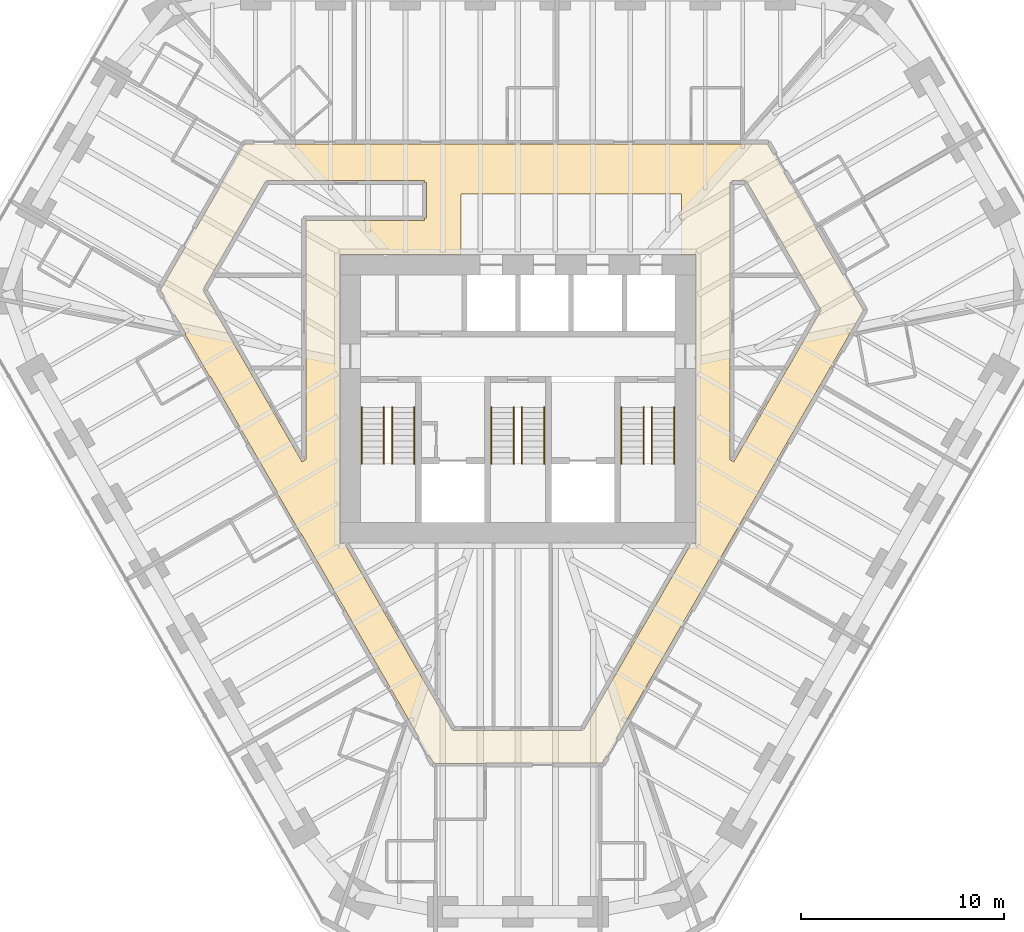
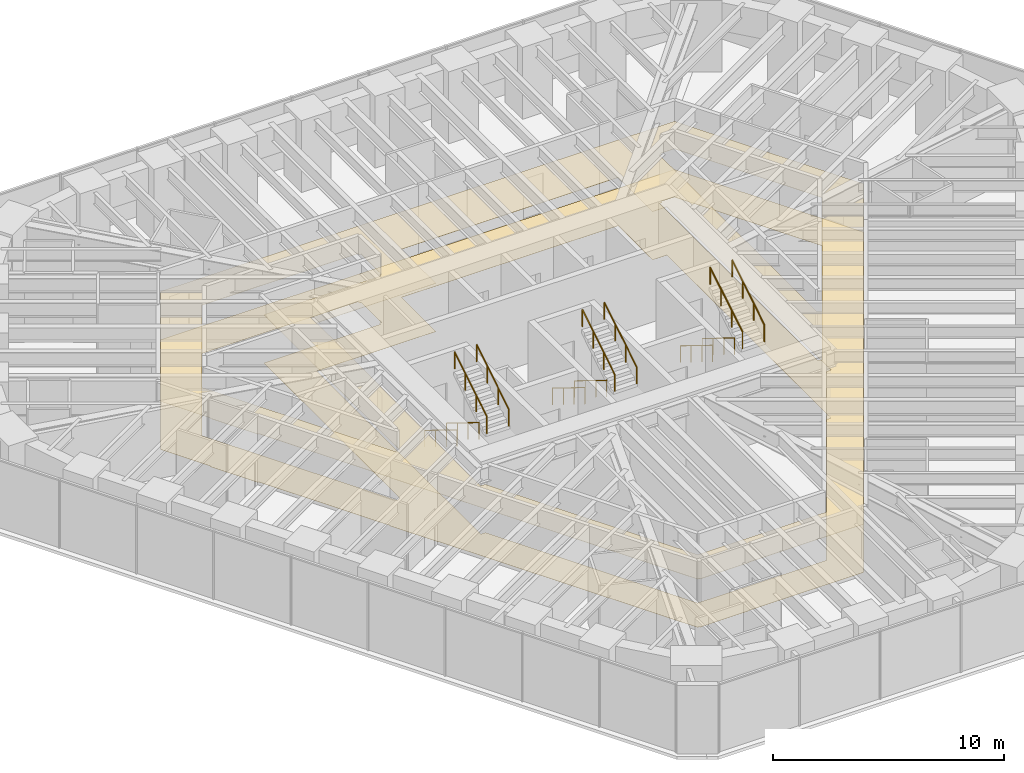
# One storey, part 16 of 16: 12 railings, 2 coverings.
"""IFC4 building model written with IfcOpenShell, lengths in metres."""

from ifc_helpers import new_model, si_unit, direction, frame, origin, origin_2d, place, context, subcontext, project, spatial, polyline, circle, outline, extrude, material, layer, layer_set, type_object, element, save


model = new_model("IFC4")

# Units and contexts
model_context = context("Model", 3, precision=1e-05, world=origin(), true_north=direction((0.0, 1.0)))
body_context = subcontext(model_context, "Body", "Model", "MODEL_VIEW")
ifc_project = project(units=[si_unit("LENGTHUNIT", "METRE"), si_unit("AREAUNIT", "SQUARE_METRE"), si_unit("VOLUMEUNIT", "CUBIC_METRE"), si_unit("PLANEANGLEUNIT", "RADIAN"), si_unit("MASSUNIT", "GRAM", prefix="KILO")], contexts=[model_context])

# Site, building, storey
site_placement = place(None, origin())
site = spatial("IfcSite", under=ifc_project, at=site_placement, CompositionType="ELEMENT")
building_placement = place(site_placement, origin())
building = spatial("IfcBuilding", under=site, at=building_placement, Name="Sandreach Pilgrim Tower", CompositionType="ELEMENT")
storey_placement = place(building_placement, frame((0.0, 0.0, 206.0)))
storey = spatial("IfcBuildingStorey", under=building, at=storey_placement, Name="L51", CompositionType="ELEMENT", Elevation=206.0)

# Coverings
ifc_material_1 = material(Name="Nylon carpet tile on the slab", Category="textile")
ifc_layer_1 = layer(ifc_material_1, 0.008056640625)
ifc_layer_set_1 = layer_set([ifc_layer_1], Name="Carpet tile")
covering_type_1 = type_object("IfcCoveringType", Name="Carpet tile", PredefinedType="FLOORING", material=ifc_layer_set_1)
covering_1_placement = place(storey_placement, origin())
element("IfcCovering", 1, at=covering_1_placement, inside=storey, type_object=covering_type_1, Name="Floor finish 51C Corridor 51", PredefinedType="FLOORING", context=body_context, shape_type="SweptSolid", body=[
    extrude(outline(polyline([(-13.445068359375, 12.56005859375), (12.292236328125, 12.56005859375), (17.0244140625, 4.369873046875), (4.15234375, -17.929931640625), (-1.60009765625, -17.929931640625), (-1.60009765625, -17.9580078125), (-4.050048828125, -17.969970703125), (-4.050048828125, -17.929931640625), (-4.15234375, -17.929931640625), (-10.643310546875, -6.68994140625), (-10.66357421875, -6.70166015625), (-11.8681640625, -4.624267578125), (-11.843505859375, -4.610107421875), (-15.143310546875, 1.10986328125), (-15.180908203125, 1.08837890625), (-16.387939453125, 3.169921875), (-16.353271484375, 3.189697265625), (-17.60302734375, 5.366943359375), (-13.445068359375, 12.56005859375)]), holes=[polyline([(10.449951171875, 10.659912109375), (10.449951171875, -2.9921875), (10.63671875, -3.10009765625), (14.945556640625, 4.370361328125), (11.247802734375, 10.760009765625), (10.56005859375, 10.760009765625), (10.56005859375, 10.66015625), (10.449951171875, 10.659912109375)]), polyline([(-3.227783203125, -16.330078125), (3.227783203125, -16.330078125), (8.542724609375, -7.1201171875), (8.77001953125, -7.1201171875), (8.77001953125, 7.1201171875), (8.050048828125, 7.1201171875), (8.050048828125, 10.10009765625), (-2.800048828125, 10.10009765625), (-2.800048828125, 7.1201171875), (-8.77001953125, 7.1201171875), (-8.77001953125, -7.1201171875), (-8.542724609375, -7.1201171875), (-3.227783203125, -16.330078125)]), polyline([(-15.525634765625, 5.370361328125), (-10.636474609375, -3.10009765625), (-10.449951171875, -2.9921875), (-10.449951171875, 8.800048828125), (-4.60009765625, 8.800048828125), (-4.60009765625, 8.909912109375), (-4.5, 8.909912109375), (-4.5, 10.64990234375), (-4.60009765625, 10.64990234375), (-4.60009765625, 10.760009765625), (-12.40771484375, 10.760009765625), (-15.525634765625, 5.370361328125)])]), origin(), (0.0, 0.0, 1.0), 0.008056640625),
])
ifc_material_2 = material(Name="Gypsum board suspended ceiling on a steel grid", Category="steel")
ifc_layer_2 = layer(ifc_material_2, 0.012939453125)
ifc_layer_set_2 = layer_set([ifc_layer_2], Name="Gypsum board suspended ceiling")
covering_type_2 = type_object("IfcCoveringType", Name="Gypsum board suspended ceiling", PredefinedType="CEILING", material=ifc_layer_set_2)
covering_2_placement = place(storey_placement, frame((0.0, 0.0, 2.550048828125)))
element("IfcCovering", 2, at=covering_2_placement, inside=storey, type_object=covering_type_2, Name="Ceiling 51C Corridor 51", PredefinedType="CEILING", context=body_context, shape_type="SweptSolid", body=[
    extrude(outline(polyline([(-13.445068359375, 12.56005859375), (12.292236328125, 12.56005859375), (17.0244140625, 4.369873046875), (4.15234375, -17.929931640625), (-1.60009765625, -17.929931640625), (-1.60009765625, -17.9580078125), (-4.050048828125, -17.969970703125), (-4.050048828125, -17.929931640625), (-4.15234375, -17.929931640625), (-10.643310546875, -6.68994140625), (-10.66357421875, -6.70166015625), (-11.8681640625, -4.624267578125), (-11.843505859375, -4.610107421875), (-15.143310546875, 1.10986328125), (-15.180908203125, 1.08837890625), (-16.387939453125, 3.169921875), (-16.353271484375, 3.189697265625), (-17.60302734375, 5.366943359375), (-13.445068359375, 12.56005859375)]), holes=[polyline([(10.449951171875, 10.659912109375), (10.449951171875, -2.9921875), (10.63671875, -3.10009765625), (14.945556640625, 4.370361328125), (11.247802734375, 10.760009765625), (10.56005859375, 10.760009765625), (10.56005859375, 10.66015625), (10.449951171875, 10.659912109375)]), polyline([(-3.227783203125, -16.330078125), (3.227783203125, -16.330078125), (8.542724609375, -7.1201171875), (8.77001953125, -7.1201171875), (8.77001953125, 7.1201171875), (8.050048828125, 7.1201171875), (8.050048828125, 10.10009765625), (-2.800048828125, 10.10009765625), (-2.800048828125, 7.1201171875), (-8.77001953125, 7.1201171875), (-8.77001953125, -7.1201171875), (-8.542724609375, -7.1201171875), (-3.227783203125, -16.330078125)]), polyline([(-15.525634765625, 5.370361328125), (-10.636474609375, -3.10009765625), (-10.449951171875, -2.9921875), (-10.449951171875, 8.800048828125), (-4.60009765625, 8.800048828125), (-4.60009765625, 8.909912109375), (-4.5, 8.909912109375), (-4.5, 10.64990234375), (-4.60009765625, 10.64990234375), (-4.60009765625, 10.760009765625), (-12.40771484375, 10.760009765625), (-15.525634765625, 5.370361328125)])]), origin(), (0.0, 0.0, 1.0), 0.012939453125),
])

# Railings
ifc_material_3 = material(Name="Stainless steel tube", Category="steel")
railing_type = type_object("IfcRailingType", Name="Stair handrail", PredefinedType="HANDRAIL", material=ifc_material_3)
for number, where, name in (
    (3, (-6.60009765625, -0.39990234375, 0.172607421875), "Handrail ST1 L51 flight 1"),
    (4, (-7.699951171875, -0.39990234375, 0.172607421875), "Handrail ST1 L51 flight 1"),
):
    element("IfcRailing", number, at=place(storey_placement, frame(where)), inside=storey, type_object=railing_type, Name=name, PredefinedType="HANDRAIL", context=body_context, shape_type="SweptSolid", body=[
        extrude(circle(Radius=0.02392578125, at=origin_2d()), frame((0.0, 0.0, 0.8759765625), z_axis=(0.0, -0.851089632645, 0.525020415988), x_axis=(1.0, 0.0, 0.0)), (0.0, 0.0, 1.0), 3.2900390625),
        extrude(circle(Radius=0.02099609375, at=origin_2d()), origin(), (0.0, 0.0, 1.0), 0.851806640625),
        extrude(circle(Radius=0.02099609375, at=origin_2d()), frame((0.0, -0.933349609375, 0.57568359375)), (0.0, 0.0, 1.0), 0.851806640625),
        extrude(circle(Radius=0.02099609375, at=origin_2d()), frame((0.0, -1.86669921875, 1.151611328125)), (0.0, 0.0, 1.0), 0.851806640625),
        extrude(circle(Radius=0.02099609375, at=origin_2d()), frame((0.0, -2.800048828125, 1.727294921875)), (0.0, 0.0, 1.0), 0.851806640625),
    ])
for number, where, name in (
    (5, (-6.199951171875, -3.199951171875, 2.07275390625), "Handrail ST1 L51 flight 2"),
    (6, (-5.10009765625, -3.199951171875, 2.07275390625), "Handrail ST1 L51 flight 2"),
):
    element("IfcRailing", number, at=place(storey_placement, frame(where)), inside=storey, type_object=railing_type, Name=name, PredefinedType="HANDRAIL", context=body_context, shape_type="SweptSolid", body=[
        extrude(circle(Radius=0.02392578125, at=origin_2d()), frame((0.0, 0.0, 0.8759765625), z_axis=(0.0, 0.851089632645, 0.525020415988), x_axis=(-1.0, 0.0, 0.0)), (0.0, 0.0, 1.0), 3.2900390625),
        extrude(circle(Radius=0.02099609375, at=origin_2d()), origin(), (0.0, 0.0, 1.0), 0.851806640625),
        extrude(circle(Radius=0.02099609375, at=origin_2d()), frame((0.0, 0.933349609375, 0.57568359375)), (0.0, 0.0, 1.0), 0.851806640625),
        extrude(circle(Radius=0.02099609375, at=origin_2d()), frame((0.0, 1.86669921875, 1.151611328125)), (0.0, 0.0, 1.0), 0.851806640625),
        extrude(circle(Radius=0.02099609375, at=origin_2d()), frame((0.0, 2.800048828125, 1.727294921875)), (0.0, 0.0, 1.0), 0.851806640625),
    ])
for number, where, name in (
    (7, (-0.199951171875, -0.39990234375, 0.172607421875), "Handrail ST3 L51 flight 1"),
    (8, (-1.300048828125, -0.39990234375, 0.172607421875), "Handrail ST3 L51 flight 1"),
):
    element("IfcRailing", number, at=place(storey_placement, frame(where)), inside=storey, type_object=railing_type, Name=name, PredefinedType="HANDRAIL", context=body_context, shape_type="SweptSolid", body=[
        extrude(circle(Radius=0.02392578125, at=origin_2d()), frame((0.0, 0.0, 0.8759765625), z_axis=(0.0, -0.851089632645, 0.525020415988), x_axis=(1.0, 0.0, 0.0)), (0.0, 0.0, 1.0), 3.2900390625),
        extrude(circle(Radius=0.02099609375, at=origin_2d()), origin(), (0.0, 0.0, 1.0), 0.851806640625),
        extrude(circle(Radius=0.02099609375, at=origin_2d()), frame((0.0, -0.933349609375, 0.57568359375)), (0.0, 0.0, 1.0), 0.851806640625),
        extrude(circle(Radius=0.02099609375, at=origin_2d()), frame((0.0, -1.86669921875, 1.151611328125)), (0.0, 0.0, 1.0), 0.851806640625),
        extrude(circle(Radius=0.02099609375, at=origin_2d()), frame((0.0, -2.800048828125, 1.727294921875)), (0.0, 0.0, 1.0), 0.851806640625),
    ])
for number, where, name in (
    (9, (0.199951171875, -3.199951171875, 2.07275390625), "Handrail ST3 L51 flight 2"),
    (10, (1.300048828125, -3.199951171875, 2.07275390625), "Handrail ST3 L51 flight 2"),
):
    element("IfcRailing", number, at=place(storey_placement, frame(where)), inside=storey, type_object=railing_type, Name=name, PredefinedType="HANDRAIL", context=body_context, shape_type="SweptSolid", body=[
        extrude(circle(Radius=0.02392578125, at=origin_2d()), frame((0.0, 0.0, 0.8759765625), z_axis=(0.0, 0.851089632645, 0.525020415988), x_axis=(-1.0, 0.0, 0.0)), (0.0, 0.0, 1.0), 3.2900390625),
        extrude(circle(Radius=0.02099609375, at=origin_2d()), origin(), (0.0, 0.0, 1.0), 0.851806640625),
        extrude(circle(Radius=0.02099609375, at=origin_2d()), frame((0.0, 0.933349609375, 0.57568359375)), (0.0, 0.0, 1.0), 0.851806640625),
        extrude(circle(Radius=0.02099609375, at=origin_2d()), frame((0.0, 1.86669921875, 1.151611328125)), (0.0, 0.0, 1.0), 0.851806640625),
        extrude(circle(Radius=0.02099609375, at=origin_2d()), frame((0.0, 2.800048828125, 1.727294921875)), (0.0, 0.0, 1.0), 0.851806640625),
    ])
for number, where, name in (
    (11, (6.199951171875, -0.39990234375, 0.172607421875), "Handrail ST2 L51 flight 1"),
    (12, (5.10009765625, -0.39990234375, 0.172607421875), "Handrail ST2 L51 flight 1"),
):
    element("IfcRailing", number, at=place(storey_placement, frame(where)), inside=storey, type_object=railing_type, Name=name, PredefinedType="HANDRAIL", context=body_context, shape_type="SweptSolid", body=[
        extrude(circle(Radius=0.02392578125, at=origin_2d()), frame((0.0, 0.0, 0.8759765625), z_axis=(0.0, -0.851089632645, 0.525020415988), x_axis=(1.0, 0.0, 0.0)), (0.0, 0.0, 1.0), 3.2900390625),
        extrude(circle(Radius=0.02099609375, at=origin_2d()), origin(), (0.0, 0.0, 1.0), 0.851806640625),
        extrude(circle(Radius=0.02099609375, at=origin_2d()), frame((0.0, -0.933349609375, 0.57568359375)), (0.0, 0.0, 1.0), 0.851806640625),
        extrude(circle(Radius=0.02099609375, at=origin_2d()), frame((0.0, -1.86669921875, 1.151611328125)), (0.0, 0.0, 1.0), 0.851806640625),
        extrude(circle(Radius=0.02099609375, at=origin_2d()), frame((0.0, -2.800048828125, 1.727294921875)), (0.0, 0.0, 1.0), 0.851806640625),
    ])
for number, where, name in (
    (13, (6.60009765625, -3.199951171875, 2.07275390625), "Handrail ST2 L51 flight 2"),
    (14, (7.699951171875, -3.199951171875, 2.07275390625), "Handrail ST2 L51 flight 2"),
):
    element("IfcRailing", number, at=place(storey_placement, frame(where)), inside=storey, type_object=railing_type, Name=name, PredefinedType="HANDRAIL", context=body_context, shape_type="SweptSolid", body=[
        extrude(circle(Radius=0.02392578125, at=origin_2d()), frame((0.0, 0.0, 0.8759765625), z_axis=(0.0, 0.851089632645, 0.525020415988), x_axis=(-1.0, 0.0, 0.0)), (0.0, 0.0, 1.0), 3.2900390625),
        extrude(circle(Radius=0.02099609375, at=origin_2d()), origin(), (0.0, 0.0, 1.0), 0.851806640625),
        extrude(circle(Radius=0.02099609375, at=origin_2d()), frame((0.0, 0.933349609375, 0.57568359375)), (0.0, 0.0, 1.0), 0.851806640625),
        extrude(circle(Radius=0.02099609375, at=origin_2d()), frame((0.0, 1.86669921875, 1.151611328125)), (0.0, 0.0, 1.0), 0.851806640625),
        extrude(circle(Radius=0.02099609375, at=origin_2d()), frame((0.0, 2.800048828125, 1.727294921875)), (0.0, 0.0, 1.0), 0.851806640625),
    ])

save(model, "model.ifc")
